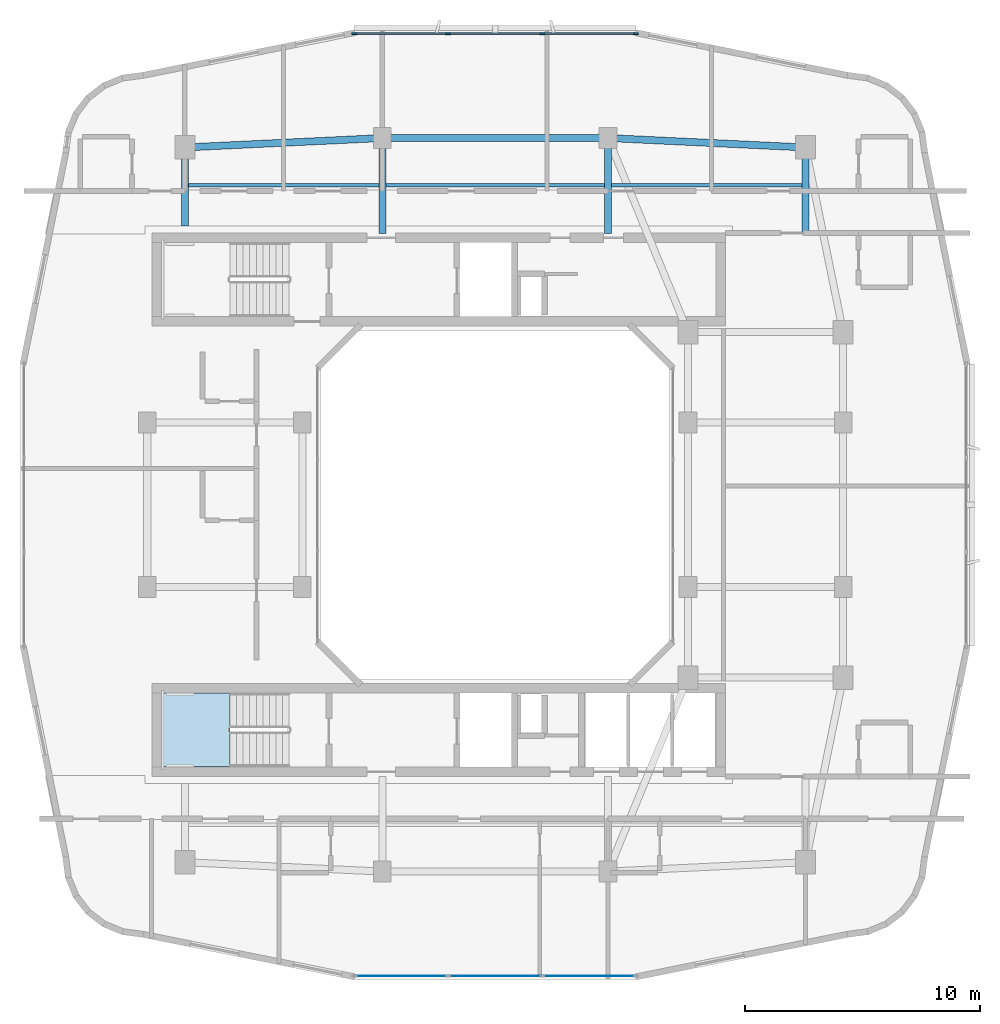
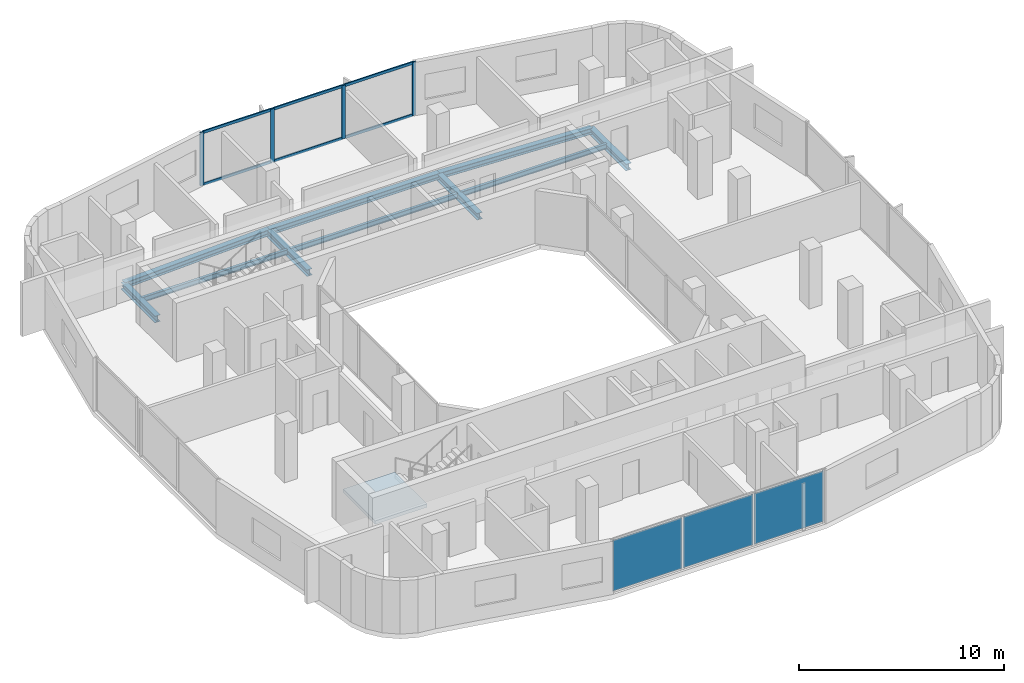
# One storey, part 5 of 14: 10 beams, 10 members, 3 plates, 1 slab, 3 elements without a shape of their own.
"""IFC4 building model written with IfcOpenShell, lengths in metres."""

from ifc_helpers import new_model, si_unit, derived_unit, direction, frame, origin, origin_2d, place, context, subcontext, project, spatial, polyline, rectangle, i_section, outline, extrude, material, layer, layer_set, material_profile, profile_set, type_object, element, aggregate, save


model = new_model("IFC4")

# Units and contexts
model_context = context("Model", 3, precision=1e-05, world=origin(), true_north=direction((0.0, 1.0)))
body_context = subcontext(model_context, "Body", "Model", "MODEL_VIEW")
ifc_project = project(units=[si_unit("LENGTHUNIT", "METRE"), si_unit("AREAUNIT", "SQUARE_METRE"), si_unit("VOLUMEUNIT", "CUBIC_METRE"), si_unit("PLANEANGLEUNIT", "RADIAN"), si_unit("MASSUNIT", "GRAM", prefix="KILO"), derived_unit("THERMALTRANSMITTANCEUNIT", [(si_unit("POWERUNIT", "WATT"), 1), (si_unit("LENGTHUNIT", "METRE"), -2), (si_unit("THERMODYNAMICTEMPERATUREUNIT", "KELVIN"), -1)])], contexts=[model_context])

# Site, building, storey
site_placement = place(None, origin())
site = spatial("IfcSite", under=ifc_project, at=site_placement, CompositionType="ELEMENT")
building_placement = place(site_placement, origin())
building = spatial("IfcBuilding", under=site, at=building_placement, Name="Kivonza Crest Hotel", CompositionType="ELEMENT")
storey_placement = place(building_placement, frame((0.0, 0.0, 169.5)))
storey = spatial("IfcBuildingStorey", under=building, at=storey_placement, Name="L46", CompositionType="ELEMENT", Elevation=169.5)

# Beams
ifc_material_1 = material(Name="Steel S355", Category="steel")
ifc_material_profile_1 = material_profile(ifc_material_1, i_section(OverallWidth=0.300048828125, OverallDepth=0.360107421875, WebThickness=0.012451171875, FlangeThickness=0.0224609375, FilletRadius=0.027099609375, at=origin_2d()), Name="HEB 360")
ifc_profile_set_1 = profile_set([ifc_material_profile_1], Name="Steel S355")
beam_type_1 = type_object("IfcBeamType", Name="BM-HEB360", PredefinedType="SPANDREL", material=ifc_profile_set_1)
beam_1_placement = place(storey_placement, frame((34.199951171875, 40.199951171875, -0.4599609375), z_axis=(-0.998867283688, 0.047583080799, 0.0), x_axis=(-0.047583080799, -0.998867283688, 0.0)))
element("IfcBeam", 1, at=beam_1_placement, inside=storey, type_object=beam_type_1, Name="Tower T1 L46 perimeter spandrel NE-N2", PredefinedType="SPANDREL", context=body_context, shape_type="SweptSolid", body=[
    extrude(i_section(OverallWidth=0.300048828125, OverallDepth=0.360107421875, WebThickness=0.012451171875, FlangeThickness=0.0224609375, FilletRadius=0.027099609375, at=origin_2d()), origin(), (0.0, 0.0, 1.0), 8.409423828125),
])
beam_2_placement = place(storey_placement, frame((25.800048828125, 40.60009765625, -0.4599609375), z_axis=(-1.0, 0.0, 0.0), x_axis=(0.0, -1.0, 0.0)))
element("IfcBeam", 2, at=beam_2_placement, inside=storey, type_object=beam_type_1, Name="Tower T1 L46 perimeter spandrel N2-N1", PredefinedType="SPANDREL", context=body_context, shape_type="SweptSolid", body=[
    extrude(i_section(OverallWidth=0.300048828125, OverallDepth=0.360107421875, WebThickness=0.012451171875, FlangeThickness=0.0224609375, FilletRadius=0.027099609375, at=origin_2d()), origin(), (0.0, 0.0, 1.0), 9.60009765625),
])
beam_3_placement = place(storey_placement, frame((16.199951171875, 40.60009765625, -0.4599609375), z_axis=(-0.998867283688, -0.047583080799, 0.0), x_axis=(0.047583080799, -0.998867283688, 0.0)))
element("IfcBeam", 3, at=beam_3_placement, inside=storey, type_object=beam_type_1, Name="Tower T1 L46 perimeter spandrel N1-NW", PredefinedType="SPANDREL", context=body_context, shape_type="SweptSolid", body=[
    extrude(i_section(OverallWidth=0.300048828125, OverallDepth=0.360107421875, WebThickness=0.012451171875, FlangeThickness=0.0224609375, FilletRadius=0.027099609375, at=origin_2d()), origin(), (0.0, 0.0, 1.0), 8.409423828125),
])
ifc_material_profile_2 = material_profile(ifc_material_1, i_section(OverallWidth=0.300048828125, OverallDepth=0.39990234375, WebThickness=0.013427734375, FlangeThickness=0.02392578125, FilletRadius=0.027099609375, at=origin_2d()), Name="HEB 400")
ifc_profile_set_2 = profile_set([ifc_material_profile_2], Name="Steel S355")
beam_type_2 = type_object("IfcBeamType", Name="BM-HEB400", PredefinedType="BEAM", material=ifc_profile_set_2)
beam_4_placement = place(storey_placement, frame((7.800048828125, 40.199951171875, -0.47998046875), z_axis=(0.0, -1.0, 0.0), x_axis=(1.0, 0.0, 0.0)))
element("IfcBeam", 4, at=beam_4_placement, inside=storey, type_object=beam_type_2, Name="Tower T1 L46 radial core girder RNW", PredefinedType="BEAM", context=body_context, shape_type="SweptSolid", body=[
    extrude(i_section(OverallWidth=0.300048828125, OverallDepth=0.39990234375, WebThickness=0.013427734375, FlangeThickness=0.02392578125, FilletRadius=0.027099609375, at=origin_2d()), origin(), (0.0, 0.0, 1.0), 3.349853515625),
])
for number, where, z_axis, x_axis, name in (
    (5, (16.199951171875, 40.60009765625, -0.47998046875), (0.0, -1.0, 0.0), (1.0, 0.0, 0.0), "Tower T1 L46 radial core girder RN1"),
    (6, (25.800048828125, 40.60009765625, -0.47998046875), (0.0, -1.0, 0.0), (1.0, 0.0, 0.0), "Tower T1 L46 radial core girder RN2"),
):
    element("IfcBeam", number, at=place(storey_placement, frame(where, z_axis=z_axis, x_axis=x_axis)), inside=storey, type_object=beam_type_2, Name=name, PredefinedType="BEAM", context=body_context, shape_type="SweptSolid", body=[
        extrude(i_section(OverallWidth=0.300048828125, OverallDepth=0.39990234375, WebThickness=0.013427734375, FlangeThickness=0.02392578125, FilletRadius=0.027099609375, at=origin_2d()), origin(), (0.0, 0.0, 1.0), 4.050048828125),
    ])
beam_5_placement = place(storey_placement, frame((34.199951171875, 40.199951171875, -0.47998046875), z_axis=(0.0, -1.0, 0.0), x_axis=(1.0, 0.0, 0.0)))
element("IfcBeam", 7, at=beam_5_placement, inside=storey, type_object=beam_type_2, Name="Tower T1 L46 radial core girder RNE", PredefinedType="BEAM", context=body_context, shape_type="SweptSolid", body=[
    extrude(i_section(OverallWidth=0.300048828125, OverallDepth=0.39990234375, WebThickness=0.013427734375, FlangeThickness=0.02392578125, FilletRadius=0.027099609375, at=origin_2d()), origin(), (0.0, 0.0, 1.0), 3.64990234375),
])
ifc_material_profile_3 = material_profile(ifc_material_1, i_section(OverallWidth=0.14990234375, OverallDepth=0.300048828125, WebThickness=0.007080078125, FlangeThickness=0.0107421875, FilletRadius=0.014892578125, at=origin_2d()), Name="IPE 300")
ifc_profile_set_3 = profile_set([ifc_material_profile_3], Name="Steel S355")
beam_type_3 = type_object("IfcBeamType", Name="BM-IPE300", PredefinedType="JOIST", material=ifc_profile_set_3)
beam_6_placement = place(storey_placement, frame((7.8798828125, 38.60009765625, -0.429931640625), z_axis=(1.0, 0.0, 0.0), x_axis=(0.0, 1.0, 0.0)))
element("IfcBeam", 8, at=beam_6_placement, inside=storey, type_object=beam_type_3, Name="Tower T1 L46 North-West floor joist", PredefinedType="JOIST", context=body_context, shape_type="SweptSolid", body=[
    extrude(i_section(OverallWidth=0.14990234375, OverallDepth=0.300048828125, WebThickness=0.007080078125, FlangeThickness=0.0107421875, FilletRadius=0.014892578125, at=origin_2d()), origin(), (0.0, 0.0, 1.0), 8.240234375),
])
beam_7_placement = place(storey_placement, frame((16.280029296875, 38.60009765625, -0.429931640625), z_axis=(1.0, 0.0, 0.0), x_axis=(0.0, 1.0, 0.0)))
element("IfcBeam", 9, at=beam_7_placement, inside=storey, type_object=beam_type_3, Name="Tower T1 L46 North-Mid floor joist", PredefinedType="JOIST", context=body_context, shape_type="SweptSolid", body=[
    extrude(i_section(OverallWidth=0.14990234375, OverallDepth=0.300048828125, WebThickness=0.007080078125, FlangeThickness=0.0107421875, FilletRadius=0.014892578125, at=origin_2d()), origin(), (0.0, 0.0, 1.0), 9.43994140625),
])
beam_8_placement = place(storey_placement, frame((25.8798828125, 38.60009765625, -0.429931640625), z_axis=(1.0, 0.0, 0.0), x_axis=(0.0, 1.0, 0.0)))
element("IfcBeam", 10, at=beam_8_placement, inside=storey, type_object=beam_type_3, Name="Tower T1 L46 North-East floor joist", PredefinedType="JOIST", context=body_context, shape_type="SweptSolid", body=[
    extrude(i_section(OverallWidth=0.14990234375, OverallDepth=0.300048828125, WebThickness=0.007080078125, FlangeThickness=0.0107421875, FilletRadius=0.014892578125, at=origin_2d()), origin(), (0.0, 0.0, 1.0), 8.240234375),
])

# Curtain wall, members
ifc_material_2 = material(Name="Anodised bronze aluminium and low-E double glazing", Category="aluminium")
ifc_layer_1 = layer(ifc_material_2, 0.179931640625)
ifc_layer_set_1 = layer_set([ifc_layer_1], Name="Anodised bronze aluminium and low-E double glazing")
curtain_wall_type = type_object("IfcCurtainWallType", Name="CW-SYS-3", PredefinedType="NOTDEFINED", material=ifc_layer_set_1)
curtain_wall_1_placement = place(storey_placement, origin())
curtain_wall_1 = element("IfcCurtainWall", 11, at=curtain_wall_1_placement, inside=storey, type_object=curtain_wall_type, Name="L46 unitised curtain wall CW-T1-L46-26", PredefinedType="NOTDEFINED")
ifc_material_3 = material(Name="Anodised bronze aluminium", Category="aluminium")
ifc_material_profile_4 = material_profile(ifc_material_3, rectangle(XDim=0.074951171875, YDim=0.219970703125, at=origin_2d()), Name="CW-M 75x220")
ifc_profile_set_4 = profile_set([ifc_material_profile_4], Name="Anodised bronze aluminium")
member_type_1 = type_object("IfcMemberType", Name="CW-MUL-75x220", PredefinedType="MULLION", material=ifc_profile_set_4)
member_1_placement = place(storey_placement, frame((26.982421875, 45.0400390625, 0.0), z_axis=(0.0, 0.0, 1.0), x_axis=(0.0, -1.0, 0.0)))
member_1 = element("IfcMember", 12, at=member_1_placement, type_object=member_type_1, Name="CW-3 mullion 1", PredefinedType="MULLION", context=body_context, shape_type="SweptSolid", body=[
    extrude(rectangle(XDim=0.074951171875, YDim=0.219970703125, at=origin_2d()), origin(), (0.0, 0.0, 1.0), 3.179931640625),
])
member_2_placement = place(storey_placement, frame((23.006591796875, 45.0400390625, 0.0), z_axis=(0.0, 0.0, 1.0), x_axis=(0.0, -1.0, 0.0)))
member_2 = element("IfcMember", 13, at=member_2_placement, type_object=member_type_1, Name="CW-3 mullion 2", PredefinedType="MULLION", context=body_context, shape_type="SweptSolid", body=[
    extrude(rectangle(XDim=0.074951171875, YDim=0.219970703125, at=origin_2d()), origin(), (0.0, 0.0, 1.0), 3.179931640625),
])
member_3_placement = place(storey_placement, frame((18.993408203125, 45.0400390625, 0.0), z_axis=(0.0, 0.0, 1.0), x_axis=(0.0, -1.0, 0.0)))
member_3 = element("IfcMember", 14, at=member_3_placement, type_object=member_type_1, Name="CW-3 mullion 3", PredefinedType="MULLION", context=body_context, shape_type="SweptSolid", body=[
    extrude(rectangle(XDim=0.074951171875, YDim=0.219970703125, at=origin_2d()), origin(), (0.0, 0.0, 1.0), 3.179931640625),
])
member_4_placement = place(storey_placement, frame((15.017578125, 45.0400390625, 0.0), z_axis=(0.0, 0.0, 1.0), x_axis=(0.0, -1.0, 0.0)))
member_4 = element("IfcMember", 15, at=member_4_placement, type_object=member_type_1, Name="CW-3 mullion 4", PredefinedType="MULLION", context=body_context, shape_type="SweptSolid", body=[
    extrude(rectangle(XDim=0.074951171875, YDim=0.219970703125, at=origin_2d()), origin(), (0.0, 0.0, 1.0), 3.179931640625),
])
ifc_material_profile_5 = material_profile(ifc_material_3, rectangle(XDim=0.074951171875, YDim=0.159912109375, at=origin_2d()), Name="CW-T 75x160")
ifc_profile_set_5 = profile_set([ifc_material_profile_5], Name="Anodised bronze aluminium")
member_type_2 = type_object("IfcMemberType", Name="CW-TRN-75x160", PredefinedType="USERDEFINED", material=ifc_profile_set_5)
member_5_placement = place(storey_placement, frame((26.945068359375, 45.0400390625, 0.03759765625), z_axis=(-1.0, 0.0, 0.0), x_axis=(0.0, -1.0, 0.0)))
member_5 = element("IfcMember", 16, at=member_5_placement, type_object=member_type_2, Name="CW-3 transom 1.1", ObjectType="TRANSOM", PredefinedType="USERDEFINED", context=body_context, shape_type="SweptSolid", body=[
    extrude(rectangle(XDim=0.074951171875, YDim=0.159912109375, at=origin_2d()), origin(), (0.0, 0.0, 1.0), 3.90087890625),
])
member_6_placement = place(storey_placement, frame((26.945068359375, 45.0400390625, 3.142578125), z_axis=(-1.0, 0.0, 0.0), x_axis=(0.0, -1.0, 0.0)))
member_6 = element("IfcMember", 17, at=member_6_placement, type_object=member_type_2, Name="CW-3 transom 1.2", ObjectType="TRANSOM", PredefinedType="USERDEFINED", context=body_context, shape_type="SweptSolid", body=[
    extrude(rectangle(XDim=0.074951171875, YDim=0.159912109375, at=origin_2d()), origin(), (0.0, 0.0, 1.0), 3.90087890625),
])
member_7_placement = place(storey_placement, frame((22.96923828125, 45.0400390625, 0.03759765625), z_axis=(-1.0, 0.0, 0.0), x_axis=(0.0, -1.0, 0.0)))
member_7 = element("IfcMember", 18, at=member_7_placement, type_object=member_type_2, Name="CW-3 transom 2.1", ObjectType="TRANSOM", PredefinedType="USERDEFINED", context=body_context, shape_type="SweptSolid", body=[
    extrude(rectangle(XDim=0.074951171875, YDim=0.159912109375, at=origin_2d()), origin(), (0.0, 0.0, 1.0), 3.9384765625),
])
member_8_placement = place(storey_placement, frame((22.96923828125, 45.0400390625, 3.142578125), z_axis=(-1.0, 0.0, 0.0), x_axis=(0.0, -1.0, 0.0)))
member_8 = element("IfcMember", 19, at=member_8_placement, type_object=member_type_2, Name="CW-3 transom 2.2", ObjectType="TRANSOM", PredefinedType="USERDEFINED", context=body_context, shape_type="SweptSolid", body=[
    extrude(rectangle(XDim=0.074951171875, YDim=0.159912109375, at=origin_2d()), origin(), (0.0, 0.0, 1.0), 3.9384765625),
])
member_9_placement = place(storey_placement, frame((18.955810546875, 45.0400390625, 0.03759765625), z_axis=(-1.0, 0.0, 0.0), x_axis=(0.0, -1.0, 0.0)))
member_9 = element("IfcMember", 20, at=member_9_placement, type_object=member_type_2, Name="CW-3 transom 3.1", ObjectType="TRANSOM", PredefinedType="USERDEFINED", context=body_context, shape_type="SweptSolid", body=[
    extrude(rectangle(XDim=0.074951171875, YDim=0.159912109375, at=origin_2d()), origin(), (0.0, 0.0, 1.0), 3.90087890625),
])
member_10_placement = place(storey_placement, frame((18.955810546875, 45.0400390625, 3.142578125), z_axis=(-1.0, 0.0, 0.0), x_axis=(0.0, -1.0, 0.0)))
member_10 = element("IfcMember", 21, at=member_10_placement, type_object=member_type_2, Name="CW-3 transom 3.2", ObjectType="TRANSOM", PredefinedType="USERDEFINED", context=body_context, shape_type="SweptSolid", body=[
    extrude(rectangle(XDim=0.074951171875, YDim=0.159912109375, at=origin_2d()), origin(), (0.0, 0.0, 1.0), 3.90087890625),
])
aggregate(curtain_wall_1, [member_1, member_2, member_3, member_4, member_5, member_6, member_7, member_8, member_9, member_10])

# Curtain wall, plates
curtain_wall_2_placement = place(storey_placement, origin())
curtain_wall_2 = element("IfcCurtainWall", 22, at=curtain_wall_2_placement, inside=storey, type_object=curtain_wall_type, Name="L46 unitised curtain wall CW-T1-L46-08", PredefinedType="NOTDEFINED")
ifc_material_4 = material(Name="Acoustic triple-laminated low-E glazing", Category="glass")
ifc_layer_2 = layer(ifc_material_4, 0.035888671875)
ifc_layer_set_2 = layer_set([ifc_layer_2], Name="Acoustic triple-laminated low-E glazing")
plate_type = type_object("IfcPlateType", Name="CW-PNL-36", PredefinedType="CURTAIN_PANEL", material=ifc_layer_set_2)
plate_1_placement = place(storey_placement, frame((17.00537109375, 4.9599609375, 0.0751953125), z_axis=(0.0, 0.0, 1.0), x_axis=(1.0, 0.0, 0.0)))
plate_1 = element("IfcPlate", 23, at=plate_1_placement, type_object=plate_type, Name="CW-3 panel 1.1", PredefinedType="CURTAIN_PANEL", context=body_context, shape_type="SweptSolid", body=[
    extrude(rectangle(XDim=3.90087890625, YDim=0.035888671875, at=origin_2d()), origin(), (0.0, 0.0, 1.0), 3.030029296875),
])
plate_2_placement = place(storey_placement, frame((21.0, 4.9599609375, 0.0751953125), z_axis=(0.0, 0.0, 1.0), x_axis=(1.0, 0.0, 0.0)))
plate_2 = element("IfcPlate", 24, at=plate_2_placement, type_object=plate_type, Name="CW-3 panel 2.1", PredefinedType="CURTAIN_PANEL", context=body_context, shape_type="SweptSolid", body=[
    extrude(rectangle(XDim=3.938232421875, YDim=0.035888671875, at=origin_2d()), origin(), (0.0, 0.0, 1.0), 3.030029296875),
])
plate_3_placement = place(storey_placement, frame((24.99462890625, 4.9599609375, 0.0751953125), z_axis=(0.0, 0.0, 1.0), x_axis=(1.0, 0.0, 0.0)))
plate_3 = element("IfcPlate", 25, at=plate_3_placement, type_object=plate_type, Name="CW-3 panel 3.1", PredefinedType="CURTAIN_PANEL", context=body_context, shape_type="SweptSolid", body=[
    extrude(rectangle(XDim=3.90087890625, YDim=0.035888671875, at=origin_2d()), origin(), (0.0, 0.0, 1.0), 3.030029296875),
])
aggregate(curtain_wall_2, [plate_1, plate_2, plate_3])

# Stair, slab
ifc_material_5 = material(Name="Concrete C40/50", Category="concrete")
stair_type = type_object("IfcStairType", Name="ST-DL-20R", PredefinedType="HALF_TURN_STAIR", material=ifc_material_5)
stair_placement = place(storey_placement, origin())
stair = element("IfcStair", 26, at=stair_placement, inside=storey, type_object=stair_type, Name="L46 Protected Exit Stair ST-T1-S", PredefinedType="HALF_TURN_STAIR")
ifc_layer_3 = layer(ifc_material_5, 0.199951171875)
ifc_layer_set_3 = layer_set([ifc_layer_3], Name="Concrete C40/50")
slab_type = type_object("IfcSlabType", Name="SL-LAND-200", PredefinedType="LANDING", material=ifc_layer_set_3)
slab_placement = place(storey_placement, frame((0.0, 0.0, 1.550048828125)))
slab = element("IfcSlab", 27, at=slab_placement, type_object=slab_type, Name="ST-T1-S landing 1", PredefinedType="LANDING", context=body_context, shape_type="SweptSolid", body=[
    extrude(outline(polyline([(9.719970703125, 17.0), (6.800048828125, 17.0), (6.800048828125, 13.860107421875), (9.719970703125, 13.860107421875), (9.719970703125, 17.0)])), origin(), (0.0, 0.0, 1.0), 0.199951171875),
])
aggregate(stair, [slab])

save(model, "model.ifc")
